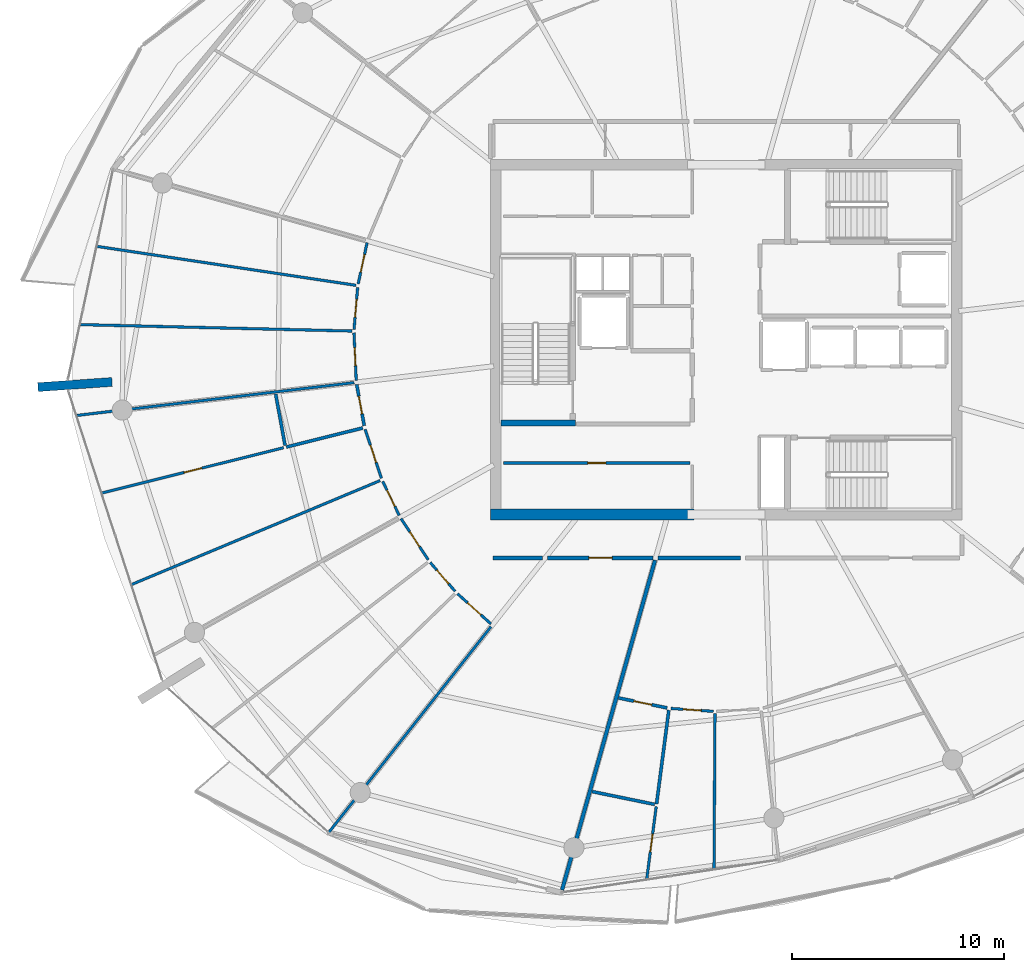
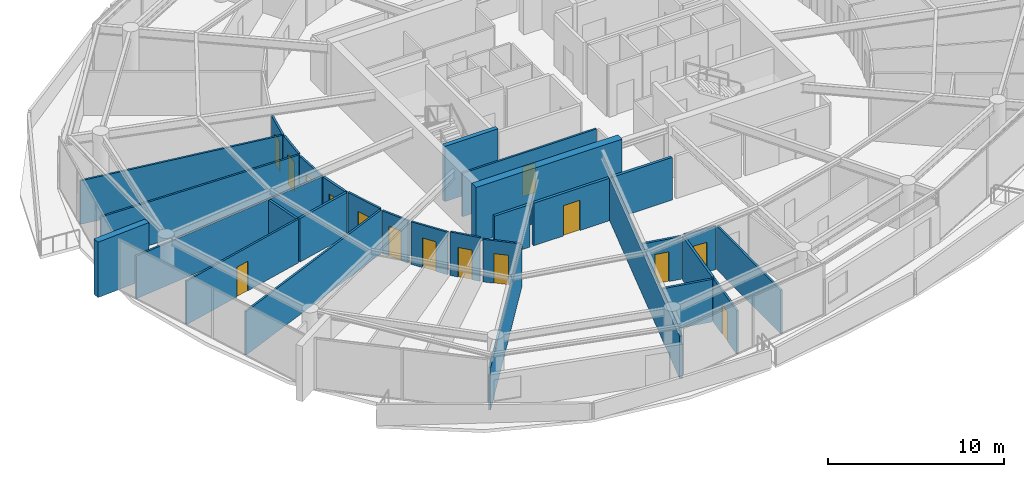
# One storey, part 17 of 29: 31 walls, 15 doors, 15 openings.
"""IFC4 building model written with IfcOpenShell, lengths in metres."""

from ifc_helpers import new_model, si_unit, direction, frame, frame_2d, origin, place, context, subcontext, project, spatial, rectangle, extrude, material, layer, layer_set, type_object, element, fill, save


model = new_model("IFC4")

# Units and contexts
model_context = context("Model", 3, precision=1e-05, world=origin(), true_north=direction((0.0, 1.0)))
body_context = subcontext(model_context, "Body", "Model", "MODEL_VIEW")
ifc_project = project(units=[si_unit("LENGTHUNIT", "METRE"), si_unit("AREAUNIT", "SQUARE_METRE"), si_unit("VOLUMEUNIT", "CUBIC_METRE"), si_unit("PLANEANGLEUNIT", "RADIAN"), si_unit("MASSUNIT", "GRAM", prefix="KILO")], contexts=[model_context])

# Site, building, storey
site_placement = place(None, origin())
site = spatial("IfcSite", under=ifc_project, at=site_placement, CompositionType="ELEMENT")
building_placement = place(site_placement, origin())
building = spatial("IfcBuilding", under=site, at=building_placement, Name="Kazma Halo Residences", CompositionType="ELEMENT")
storey_placement = place(building_placement, frame((0.0, 0.0, 286.75)))
storey = spatial("IfcBuildingStorey", under=building, at=storey_placement, Name="L72", CompositionType="ELEMENT", Elevation=286.75)

# Walls
ifc_material_1 = material(Name="Pale Concrete C60/75", Category="concrete")
ifc_layer_1 = layer(ifc_material_1, 0.419921875)
ifc_layer_set_1 = layer_set([ifc_layer_1], Name="Pale Concrete C60/75")
wall_type_1 = type_object("IfcWallType", Name="WL-BLADE-420", PredefinedType="SOLIDWALL", material=ifc_layer_set_1)
wall_1_placement = place(storey_placement, frame((19.4375, 40.002685546875, 0.0), z_axis=(0.0, 0.0, 1.0), x_axis=(-0.997563824095, -0.069759707979, 0.0)))
element("IfcWall", 1, at=wall_1_placement, inside=storey, type_object=wall_type_1, Name="L72 pale concrete structural blade fin wall BW-02", PredefinedType="SOLIDWALL", context=body_context, shape_type="SweptSolid", body=[
    extrude(rectangle(XDim=3.499755859375, YDim=0.419921875, at=frame_2d((1.75, 0.0))), origin(), (0.0, 0.0, 1.0), 3.85009765625),
])
ifc_material_2 = material(Name="Concrete C60/75", Category="concrete")
ifc_layer_2 = layer(ifc_material_2, 0.5)
ifc_layer_set_2 = layer_set([ifc_layer_2], Name="Concrete C60/75")
wall_type_2 = type_object("IfcWallType", Name="WL-CORE-500", PredefinedType="SHEAR", material=ifc_layer_set_2)
wall_2_placement = place(storey_placement, frame((37.300048828125, 33.75, 0.0), z_axis=(0.0, 0.0, 1.0), x_axis=(1.0, 0.0, 0.0)))
element("IfcWall", 2, at=wall_2_placement, inside=storey, type_object=wall_type_2, Name="L72 central core shear wall SW", PredefinedType="SHEAR", context=body_context, shape_type="SweptSolid", body=[
    extrude(rectangle(XDim=9.599853515625, YDim=0.5, at=frame_2d((4.7998046875, 0.0))), origin(), (0.0, 0.0, 1.0), 3.85009765625),
])
ifc_layer_3 = layer(ifc_material_2, 0.280029296875)
ifc_layer_set_3 = layer_set([ifc_layer_3], Name="Concrete C60/75")
wall_type_3 = type_object("IfcWallType", Name="WL-CORE-ST-280", PredefinedType="SHEAR", material=ifc_layer_set_3)
wall_3_placement = place(storey_placement, frame((37.800048828125, 38.06005859375, 0.0), z_axis=(0.0, 0.0, 1.0), x_axis=(1.0, 0.0, 0.0)))
element("IfcWall", 3, at=wall_3_placement, inside=storey, type_object=wall_type_3, Name="L72 stairwell bearing wall ST01-S", PredefinedType="SHEAR", context=body_context, shape_type="SweptSolid", body=[
    extrude(rectangle(XDim=3.5, YDim=0.280029296875, at=frame_2d((1.75, 0.0))), origin(), (0.0, 0.0, 1.0), 3.85009765625),
])
ifc_material_3 = material(Name="Acoustic Twin-Stud Gypsum")
ifc_layer_4 = layer(ifc_material_3, 0.179931640625)
ifc_layer_set_4 = layer_set([ifc_layer_4], Name="Acoustic Twin-Stud Gypsum")
wall_type_4 = type_object("IfcWallType", Name="WL-DEM-180", PredefinedType="PARTITIONING", material=ifc_layer_set_4)
wall_4_placement = place(storey_placement, frame((45.065185546875, 31.593994140625, 0.0), z_axis=(0.0, 0.0, 1.0), x_axis=(-0.27143972755, -0.962455440167, 0.0)))
element("IfcWall", 4, at=wall_4_placement, inside=storey, type_object=wall_type_4, Name="L72 apartment demising radial wall 10", PredefinedType="PARTITIONING", context=body_context, shape_type="SweptSolid", body=[
    extrude(rectangle(XDim=16.172607421875, YDim=0.179931640625, at=frame_2d((8.08642578125, 0.0))), origin(), (0.0, 0.0, 1.0), 2.95703125),
])

# Wall, opening, door
wall_5_placement = place(storey_placement, frame((40.0, 31.699951171875, 0.0), z_axis=(0.0, 0.0, 1.0), x_axis=(1.0, 0.0, 0.0)))
wall_5 = element("IfcWall", 5, at=wall_5_placement, inside=storey, type_object=wall_type_4, Name="L72 Apartment 1 entrance corridor wall", PredefinedType="PARTITIONING", context=body_context, shape_type="SweptSolid", body=[
    extrude(rectangle(XDim=4.97509765625, YDim=0.179931640625, at=frame_2d((2.487548828125, 0.0))), origin(), (0.0, 0.0, 1.0), 2.95703125),
])
opening_1_placement = place(wall_5_placement, frame((1.9375, 0.0, 0.0)))
opening_1 = element("IfcOpeningElement", 6, at=opening_1_placement, cuts=wall_5, Name="Opening DA-1100", PredefinedType="OPENING", context=body_context, shape_type="SweptSolid", body=[
    extrude(rectangle(XDim=1.10009765625, YDim=2.10009765625, at=frame_2d((0.550048828125, 1.050048828125))), frame((0.0, 0.099853515625, 0.0), z_axis=(0.0, -1.0, 0.0), x_axis=(1.0, 0.0, 0.0)), (0.0, 0.0, 1.0), 0.199951171875),
])
ifc_material_4 = material(Name="Acoustic Walnut Fire Leaf")
door_type_1 = type_object("IfcDoorType", Name="DR-FD60-1100", OperationType="NOTDEFINED", PredefinedType="DOOR", material=ifc_material_4)
door_1_placement = place(opening_1_placement, origin())
door_1 = element("IfcDoor", 7, at=door_1_placement, inside=storey, type_object=door_type_1, Name="L72 Apartment 1 entrance fire door", OperationType="SINGLE_SWING_RIGHT", OverallHeight=2.10009765625, OverallWidth=1.10009765625, PredefinedType="DOOR", context=body_context, shape_type="SweptSolid", body=[
    extrude(rectangle(XDim=1.10009765625, YDim=2.10009765625, at=frame_2d((0.550048828125, 1.050048828125))), frame((0.0, 0.02490234375, 0.0), z_axis=(0.0, -1.0, 0.0), x_axis=(1.0, 0.0, 0.0)), (0.0, 0.0, 1.0), 0.050048828125),
])
fill(opening_1, door_1)

# Walls
wall_6_placement = place(storey_placement, frame((37.419921875, 31.699951171875, 0.0), z_axis=(0.0, 0.0, 1.0), x_axis=(1.0, 0.0, 0.0)))
element("IfcWall", 8, at=wall_6_placement, inside=storey, type_object=wall_type_4, Name="L72 Apartment 1 inner wall 8", PredefinedType="PARTITIONING", context=body_context, shape_type="SweptSolid", body=[
    extrude(rectangle(XDim=2.340087890625, YDim=0.179931640625, at=frame_2d((1.169921875, 0.0))), origin(), (0.0, 0.0, 1.0), 2.95703125),
])
wall_7_placement = place(storey_placement, frame((45.215087890625, 31.699951171875, 0.0), z_axis=(0.0, 0.0, 1.0), x_axis=(1.0, 0.0, 0.0)))
element("IfcWall", 9, at=wall_7_placement, inside=storey, type_object=wall_type_4, Name="L72 Apartment 2 inner wall 10", PredefinedType="PARTITIONING", context=body_context, shape_type="SweptSolid", body=[
    extrude(rectangle(XDim=3.884033203125, YDim=0.179931640625, at=frame_2d((1.94189453125, 0.0))), origin(), (0.0, 0.0, 1.0), 2.95703125),
])

# Wall, opening, door
ifc_material_5 = material(Name="Gypsum Plasterboard Partition")
ifc_layer_5 = layer(ifc_material_5, 0.125)
ifc_layer_set_5 = layer_set([ifc_layer_5], Name="Gypsum Plasterboard Partition")
wall_type_5 = type_object("IfcWallType", Name="WL-PART-125", PredefinedType="PARTITIONING", material=ifc_layer_set_5)
wall_8_placement = place(storey_placement, frame((37.919921875, 36.179931640625, 0.0), z_axis=(0.0, 0.0, 1.0), x_axis=(1.0, 0.0, 0.0)))
wall_8 = element("IfcWall", 10, at=wall_8_placement, inside=storey, type_object=wall_type_5, Name="L72 reclaimed south front wall", PredefinedType="PARTITIONING", context=body_context, shape_type="SweptSolid", body=[
    extrude(rectangle(XDim=8.800048828125, YDim=0.125, at=frame_2d((4.39990234375, 0.0))), origin(), (0.0, 0.0, 1.0), 3.030029296875),
])
opening_2_placement = place(wall_8_placement, frame((3.97509765625, 0.0, 0.0)))
opening_2 = element("IfcOpeningElement", 11, at=opening_2_placement, cuts=wall_8, Name="Opening DS-850", PredefinedType="OPENING", context=body_context, shape_type="SweptSolid", body=[
    extrude(rectangle(XDim=0.85009765625, YDim=2.06005859375, at=frame_2d((0.425048828125, 1.030029296875))), frame((0.0, 0.072509765625, 0.0), z_axis=(0.0, -1.0, 0.0), x_axis=(1.0, 0.0, 0.0)), (0.0, 0.0, 1.0), 0.14501953125),
])
ifc_material_6 = material(Name="Painted Steel Access Leaf", Category="steel")
door_type_2 = type_object("IfcDoorType", Name="DR-SVC-850", OperationType="NOTDEFINED", PredefinedType="DOOR", material=ifc_material_6)
door_2_placement = place(opening_2_placement, origin())
door_2 = element("IfcDoor", 12, at=door_2_placement, inside=storey, type_object=door_type_2, Name="L72 reclaimed south service door", OperationType="SINGLE_SWING_LEFT", OverallHeight=2.06005859375, OverallWidth=0.85009765625, PredefinedType="DOOR", context=body_context, shape_type="SweptSolid", body=[
    extrude(rectangle(XDim=0.85009765625, YDim=2.06005859375, at=frame_2d((0.425048828125, 1.030029296875))), frame((0.0, 0.02490234375, 0.0), z_axis=(0.0, -1.0, 0.0), x_axis=(1.0, 0.0, 0.0)), (0.0, 0.0, 1.0), 0.050048828125),
])
fill(opening_2, door_2)

# Walls
wall_9_placement = place(storey_placement, frame((30.94970703125, 44.5634765625, 0.0), z_axis=(0.0, 0.0, 1.0), x_axis=(-0.988886709817, 0.148671029955, 0.0)))
element("IfcWall", 13, at=wall_9_placement, inside=storey, type_object=wall_type_5, Name="L72 Apartment 1 bay wall 1 6", PredefinedType="PARTITIONING", context=body_context, shape_type="SweptSolid", body=[
    extrude(rectangle(XDim=12.3505859375, YDim=0.125, at=frame_2d((6.17529296875, 0.0))), origin(), (0.0, 0.0, 1.0), 3.030029296875),
])
wall_10_placement = place(storey_placement, frame((30.7626953125, 42.40625, 0.0), z_axis=(0.0, 0.0, 1.0), x_axis=(-0.99972256554, 0.023554021933, 0.0)))
element("IfcWall", 14, at=wall_10_placement, inside=storey, type_object=wall_type_5, Name="L72 Apartment 1 bay wall 2 6", PredefinedType="PARTITIONING", context=body_context, shape_type="SweptSolid", body=[
    extrude(rectangle(XDim=12.82177734375, YDim=0.125, at=frame_2d((6.410888671875, 0.0))), origin(), (0.0, 0.0, 1.0), 3.030029296875),
])

# Wall, opening, door
wall_11_placement = place(storey_placement, frame((31.47509765625, 46.577392578125, 0.0), z_axis=(0.0, 0.0, 1.0), x_axis=(-0.210482265154, -0.977597675967, 0.0)))
wall_11 = element("IfcWall", 15, at=wall_11_placement, inside=storey, type_object=wall_type_5, Name="L72 Apartment 1 Sky Bedroom hall wall", PredefinedType="PARTITIONING", context=body_context, shape_type="SweptSolid", body=[
    extrude(rectangle(XDim=1.993896484375, YDim=0.125, at=frame_2d((0.9970703125, 0.0))), origin(), (0.0, 0.0, 1.0), 2.95703125),
])
opening_3_placement = place(wall_11_placement, frame((0.572021484375, 0.0, 0.0)))
opening_3 = element("IfcOpeningElement", 16, at=opening_3_placement, cuts=wall_11, Name="Opening DB-900", PredefinedType="OPENING", context=body_context, shape_type="SweptSolid", body=[
    extrude(rectangle(XDim=0.85009765625, YDim=2.06005859375, at=frame_2d((0.425048828125, 1.030029296875))), frame((0.0, 0.072509765625, 0.0), z_axis=(0.0, -1.0, 0.0), x_axis=(1.0, 0.0, 0.0)), (0.0, 0.0, 1.0), 0.14501953125),
])
ifc_material_7 = material(Name="Moisture-Sealed Timber Leaf", Category="wood")
door_type_3 = type_object("IfcDoorType", Name="DR-BTH-900", OperationType="NOTDEFINED", PredefinedType="DOOR", material=ifc_material_7)
door_3_placement = place(opening_3_placement, origin())
door_3 = element("IfcDoor", 17, at=door_3_placement, inside=storey, type_object=door_type_3, Name="L72 Apartment 1 Sky Bedroom door", OperationType="SINGLE_SWING_RIGHT", OverallHeight=2.06005859375, OverallWidth=0.85009765625, PredefinedType="DOOR", context=body_context, shape_type="SweptSolid", body=[
    extrude(rectangle(XDim=0.85009765625, YDim=2.06005859375, at=frame_2d((0.425048828125, 1.030029296875))), frame((0.0, 0.02490234375, 0.0), z_axis=(0.0, -1.0, 0.0), x_axis=(1.0, 0.0, 0.0)), (0.0, 0.0, 1.0), 0.050048828125),
])
fill(opening_3, door_3)

wall_12_placement = place(storey_placement, frame((31.03173828125, 44.47021484375, 0.0), z_axis=(0.0, 0.0, 1.0), x_axis=(-0.086328422667, -0.996266733079, 0.0)))
wall_12 = element("IfcWall", 18, at=wall_12_placement, inside=storey, type_object=wall_type_5, Name="L72 Apartment 1 Gulf Dressing Wardrobe hall wall", PredefinedType="PARTITIONING", context=body_context, shape_type="SweptSolid", body=[
    extrude(rectangle(XDim=1.99365234375, YDim=0.125, at=frame_2d((0.996826171875, 0.0))), origin(), (0.0, 0.0, 1.0), 3.030029296875),
])
opening_4_placement = place(wall_12_placement, frame((0.572021484375, 0.0, 0.0)))
opening_4 = element("IfcOpeningElement", 19, at=opening_4_placement, cuts=wall_12, Name="Opening DB-900", PredefinedType="OPENING", context=body_context, shape_type="SweptSolid", body=[
    extrude(rectangle(XDim=0.85009765625, YDim=2.06005859375, at=frame_2d((0.425048828125, 1.030029296875))), frame((0.0, 0.072509765625, 0.0), z_axis=(0.0, -1.0, 0.0), x_axis=(1.0, 0.0, 0.0)), (0.0, 0.0, 1.0), 0.14501953125),
])
door_4_placement = place(opening_4_placement, origin())
door_4 = element("IfcDoor", 20, at=door_4_placement, inside=storey, type_object=door_type_3, Name="L72 Apartment 1 Gulf Dressing Wardrobe door", OperationType="SINGLE_SWING_LEFT", OverallHeight=2.06005859375, OverallWidth=0.85009765625, PredefinedType="DOOR", context=body_context, shape_type="SweptSolid", body=[
    extrude(rectangle(XDim=0.85009765625, YDim=2.06005859375, at=frame_2d((0.425048828125, 1.030029296875))), frame((0.0, 0.02490234375, 0.0), z_axis=(0.0, -1.0, 0.0), x_axis=(1.0, 0.0, 0.0)), (0.0, 0.0, 1.0), 0.050048828125),
])
fill(opening_4, door_4)

wall_13_placement = place(storey_placement, frame((30.856689453125, 42.32421875, 0.0), z_axis=(0.0, 0.0, 1.0), x_axis=(0.047042266611, -0.998892899741, 0.0)))
wall_13 = element("IfcWall", 21, at=wall_13_placement, inside=storey, type_object=wall_type_5, Name="L72 Apartment 1 Primary Master Bedroom hall wall", PredefinedType="PARTITIONING", context=body_context, shape_type="SweptSolid", body=[
    extrude(rectangle(XDim=2.2626953125, YDim=0.125, at=frame_2d((1.13134765625, 0.0))), origin(), (0.0, 0.0, 1.0), 2.95703125),
])
opening_5_placement = place(wall_13_placement, frame((0.706298828125, 0.0, 0.0)))
opening_5 = element("IfcOpeningElement", 22, at=opening_5_placement, cuts=wall_13, Name="Opening DB-900", PredefinedType="OPENING", context=body_context, shape_type="SweptSolid", body=[
    extrude(rectangle(XDim=0.85009765625, YDim=2.06005859375, at=frame_2d((0.425048828125, 1.030029296875))), frame((0.0, 0.072509765625, 0.0), z_axis=(0.0, -1.0, 0.0), x_axis=(1.0, 0.0, 0.0)), (0.0, 0.0, 1.0), 0.14501953125),
])
door_5_placement = place(opening_5_placement, origin())
door_5 = element("IfcDoor", 23, at=door_5_placement, inside=storey, type_object=door_type_3, Name="L72 Apartment 1 Primary Master Bedroom door", OperationType="SINGLE_SWING_RIGHT", OverallHeight=2.06005859375, OverallWidth=0.85009765625, PredefinedType="DOOR", context=body_context, shape_type="SweptSolid", body=[
    extrude(rectangle(XDim=0.85009765625, YDim=2.06005859375, at=frame_2d((0.425048828125, 1.030029296875))), frame((0.0, 0.02490234375, 0.0), z_axis=(0.0, -1.0, 0.0), x_axis=(1.0, 0.0, 0.0)), (0.0, 0.0, 1.0), 0.050048828125),
])
fill(opening_5, door_5)

# Wall
wall_14_placement = place(storey_placement, frame((30.86767578125, 39.97216796875, 0.0), z_axis=(0.0, 0.0, 1.0), x_axis=(-0.993068921398, -0.117533473328, 0.0)))
element("IfcWall", 24, at=wall_14_placement, inside=storey, type_object=wall_type_5, Name="L72 Apartment 1 radial partition 7", PredefinedType="PARTITIONING", context=body_context, shape_type="SweptSolid", body=[
    extrude(rectangle(XDim=13.177734375, YDim=0.125, at=frame_2d((6.5888671875, 0.0))), origin(), (0.0, 0.0, 1.0), 2.95703125),
])

# Wall, opening, door
wall_15_placement = place(storey_placement, frame((27.5341796875, 36.899169921875, 0.0), z_axis=(0.0, 0.0, 1.0), x_axis=(-0.970319606555, -0.241826096887, 0.0)))
wall_15 = element("IfcWall", 25, at=wall_15_placement, inside=storey, type_object=wall_type_5, Name="L72 Apartment 1 East Walk-In Wardrobe partition wall", PredefinedType="PARTITIONING", context=body_context, shape_type="SweptSolid", body=[
    extrude(rectangle(XDim=8.82568359375, YDim=0.125, at=frame_2d((4.412841796875, 0.0))), origin(), (0.0, 0.0, 1.0), 3.030029296875),
])
opening_6_placement = place(wall_15_placement, frame((3.98779296875, 0.0, 0.0)))
opening_6 = element("IfcOpeningElement", 26, at=opening_6_placement, cuts=wall_15, Name="Opening DB-900", PredefinedType="OPENING", context=body_context, shape_type="SweptSolid", body=[
    extrude(rectangle(XDim=0.85009765625, YDim=2.06005859375, at=frame_2d((0.425048828125, 1.030029296875))), frame((0.0, 0.072509765625, 0.0), z_axis=(0.0, -1.0, 0.0), x_axis=(1.0, 0.0, 0.0)), (0.0, 0.0, 1.0), 0.14501953125),
])
door_6_placement = place(opening_6_placement, origin())
door_6 = element("IfcDoor", 27, at=door_6_placement, inside=storey, type_object=door_type_3, Name="L72 Apartment 1 East Walk-In Wardrobe door", OperationType="SINGLE_SWING_LEFT", OverallHeight=2.06005859375, OverallWidth=0.85009765625, PredefinedType="DOOR", context=body_context, shape_type="SweptSolid", body=[
    extrude(rectangle(XDim=0.85009765625, YDim=2.06005859375, at=frame_2d((0.425048828125, 1.030029296875))), frame((0.0, 0.02490234375, 0.0), z_axis=(0.0, -1.0, 0.0), x_axis=(1.0, 0.0, 0.0)), (0.0, 0.0, 1.0), 0.050048828125),
])
fill(opening_6, door_6)

# Wall
wall_16_placement = place(storey_placement, frame((32.092529296875, 35.348876953125, 0.0), z_axis=(0.0, 0.0, 1.0), x_axis=(-0.922603134387, -0.385750510588, 0.0)))
element("IfcWall", 28, at=wall_16_placement, inside=storey, type_object=wall_type_5, Name="L72 Apartment 1 suite divider 7", PredefinedType="PARTITIONING", context=body_context, shape_type="SweptSolid", body=[
    extrude(rectangle(XDim=12.702880859375, YDim=0.125, at=frame_2d((6.3515625, 0.0))), origin(), (0.0, 0.0, 1.0), 3.030029296875),
])

# Wall, opening, door
wall_17_placement = place(storey_placement, frame((31.385498046875, 37.7666015625, 0.0), z_axis=(0.0, 0.0, 1.0), x_axis=(0.314690560305, -0.94919431691, 0.0)))
wall_17 = element("IfcWall", 29, at=wall_17_placement, inside=storey, type_object=wall_type_5, Name="L72 Apartment 1 West Formal Dining Room hall wall", PredefinedType="PARTITIONING", context=body_context, shape_type="SweptSolid", body=[
    extrude(rectangle(XDim=2.4306640625, YDim=0.125, at=frame_2d((1.21533203125, 0.0))), origin(), (0.0, 0.0, 1.0), 3.030029296875),
])
opening_7_placement = place(wall_17_placement, frame((0.790283203125, 0.0, 0.0)))
opening_7 = element("IfcOpeningElement", 30, at=opening_7_placement, cuts=wall_17, Name="Opening DB-900", PredefinedType="OPENING", context=body_context, shape_type="SweptSolid", body=[
    extrude(rectangle(XDim=0.85009765625, YDim=2.06005859375, at=frame_2d((0.425048828125, 1.030029296875))), frame((0.0, 0.072509765625, 0.0), z_axis=(0.0, -1.0, 0.0), x_axis=(1.0, 0.0, 0.0)), (0.0, 0.0, 1.0), 0.14501953125),
])
door_7_placement = place(opening_7_placement, origin())
door_7 = element("IfcDoor", 31, at=door_7_placement, inside=storey, type_object=door_type_3, Name="L72 Apartment 1 West Formal Dining Room door", OperationType="SINGLE_SWING_RIGHT", OverallHeight=2.06005859375, OverallWidth=0.85009765625, PredefinedType="DOOR", context=body_context, shape_type="SweptSolid", body=[
    extrude(rectangle(XDim=0.85009765625, YDim=2.06005859375, at=frame_2d((0.425048828125, 1.030029296875))), frame((0.0, 0.02490234375, 0.0), z_axis=(0.0, -1.0, 0.0), x_axis=(1.0, 0.0, 0.0)), (0.0, 0.0, 1.0), 0.050048828125),
])
fill(opening_7, door_7)

wall_18_placement = place(storey_placement, frame((32.21044921875, 35.311767578125, 0.0), z_axis=(0.0, 0.0, 1.0), x_axis=(0.437932532195, -0.899007840481, 0.0)))
wall_18 = element("IfcWall", 32, at=wall_18_placement, inside=storey, type_object=wall_type_5, Name="L72 Apartment 1 North Master Bedroom hall wall", PredefinedType="PARTITIONING", context=body_context, shape_type="SweptSolid", body=[
    extrude(rectangle(XDim=1.78271484375, YDim=0.125, at=frame_2d((0.891357421875, 0.0))), origin(), (0.0, 0.0, 1.0), 2.95703125),
])
opening_8_placement = place(wall_18_placement, frame((0.46630859375, 0.0, 0.0)))
opening_8 = element("IfcOpeningElement", 33, at=opening_8_placement, cuts=wall_18, Name="Opening DB-900", PredefinedType="OPENING", context=body_context, shape_type="SweptSolid", body=[
    extrude(rectangle(XDim=0.85009765625, YDim=2.06005859375, at=frame_2d((0.425048828125, 1.030029296875))), frame((0.0, 0.072509765625, 0.0), z_axis=(0.0, -1.0, 0.0), x_axis=(1.0, 0.0, 0.0)), (0.0, 0.0, 1.0), 0.14501953125),
])
door_8_placement = place(opening_8_placement, origin())
door_8 = element("IfcDoor", 34, at=door_8_placement, inside=storey, type_object=door_type_3, Name="L72 Apartment 1 North Master Bedroom door", OperationType="SINGLE_SWING_LEFT", OverallHeight=2.06005859375, OverallWidth=0.85009765625, PredefinedType="DOOR", context=body_context, shape_type="SweptSolid", body=[
    extrude(rectangle(XDim=0.85009765625, YDim=2.06005859375, at=frame_2d((0.425048828125, 1.030029296875))), frame((0.0, 0.02490234375, 0.0), z_axis=(0.0, -1.0, 0.0), x_axis=(1.0, 0.0, 0.0)), (0.0, 0.0, 1.0), 0.050048828125),
])
fill(opening_8, door_8)

# Wall
wall_19_placement = place(storey_placement, frame((37.3193359375, 28.45166015625, 0.0), z_axis=(0.0, 0.0, 1.0), x_axis=(-0.619095191857, -0.785315951334, 0.0)))
element("IfcWall", 35, at=wall_19_placement, inside=storey, type_object=wall_type_5, Name="L72 Apartment 1 living radial partition 8", PredefinedType="PARTITIONING", context=body_context, shape_type="SweptSolid", body=[
    extrude(rectangle(XDim=12.343505859375, YDim=0.125, at=frame_2d((6.171875, 0.0))), origin(), (0.0, 0.0, 1.0), 2.95703125),
])

# Wall, opening, door
wall_20_placement = place(storey_placement, frame((33.0791015625, 33.552490234375, 0.0), z_axis=(0.0, 0.0, 1.0), x_axis=(0.550607173666, -0.83476448194, 0.0)))
wall_20 = element("IfcWall", 36, at=wall_20_placement, inside=storey, type_object=wall_type_5, Name="L72 Apartment 1 Outer Master Bedroom hall wall", PredefinedType="PARTITIONING", context=body_context, shape_type="SweptSolid", body=[
    extrude(rectangle(XDim=2.330078125, YDim=0.125, at=frame_2d((1.1650390625, 0.0))), origin(), (0.0, 0.0, 1.0), 2.95703125),
])
opening_9_placement = place(wall_20_placement, frame((0.739990234375, 0.0, 0.0)))
opening_9 = element("IfcOpeningElement", 37, at=opening_9_placement, cuts=wall_20, Name="Opening DB-900", PredefinedType="OPENING", context=body_context, shape_type="SweptSolid", body=[
    extrude(rectangle(XDim=0.85009765625, YDim=2.06005859375, at=frame_2d((0.425048828125, 1.030029296875))), frame((0.0, 0.072509765625, 0.0), z_axis=(0.0, -1.0, 0.0), x_axis=(1.0, 0.0, 0.0)), (0.0, 0.0, 1.0), 0.14501953125),
])
door_9_placement = place(opening_9_placement, origin())
door_9 = element("IfcDoor", 38, at=door_9_placement, inside=storey, type_object=door_type_3, Name="L72 Apartment 1 Outer Master Bedroom door", OperationType="SINGLE_SWING_RIGHT", OverallHeight=2.06005859375, OverallWidth=0.85009765625, PredefinedType="DOOR", context=body_context, shape_type="SweptSolid", body=[
    extrude(rectangle(XDim=0.85009765625, YDim=2.06005859375, at=frame_2d((0.425048828125, 1.030029296875))), frame((0.0, 0.02490234375, 0.0), z_axis=(0.0, -1.0, 0.0), x_axis=(1.0, 0.0, 0.0)), (0.0, 0.0, 1.0), 0.050048828125),
])
fill(opening_9, door_9)

wall_21_placement = place(storey_placement, frame((34.45849609375, 31.480224609375, 0.0), z_axis=(0.0, 0.0, 1.0), x_axis=(0.653882286754, -0.756596295966, 0.0)))
wall_21 = element("IfcWall", 39, at=wall_21_placement, inside=storey, type_object=wall_type_5, Name="L72 Apartment 1 Corner Study hall wall", PredefinedType="PARTITIONING", context=body_context, shape_type="SweptSolid", body=[
    extrude(rectangle(XDim=1.792236328125, YDim=0.125, at=frame_2d((0.89599609375, 0.0))), origin(), (0.0, 0.0, 1.0), 3.030029296875),
])
opening_10_placement = place(wall_21_placement, frame((0.47119140625, 0.0, 0.0)))
opening_10 = element("IfcOpeningElement", 40, at=opening_10_placement, cuts=wall_21, Name="Opening DB-900", PredefinedType="OPENING", context=body_context, shape_type="SweptSolid", body=[
    extrude(rectangle(XDim=0.85009765625, YDim=2.06005859375, at=frame_2d((0.425048828125, 1.030029296875))), frame((0.0, 0.072509765625, 0.0), z_axis=(0.0, -1.0, 0.0), x_axis=(1.0, 0.0, 0.0)), (0.0, 0.0, 1.0), 0.14501953125),
])
door_10_placement = place(opening_10_placement, origin())
door_10 = element("IfcDoor", 41, at=door_10_placement, inside=storey, type_object=door_type_3, Name="L72 Apartment 1 Corner Study door", OperationType="SINGLE_SWING_LEFT", OverallHeight=2.06005859375, OverallWidth=0.85009765625, PredefinedType="DOOR", context=body_context, shape_type="SweptSolid", body=[
    extrude(rectangle(XDim=0.85009765625, YDim=2.06005859375, at=frame_2d((0.425048828125, 1.030029296875))), frame((0.0, 0.02490234375, 0.0), z_axis=(0.0, -1.0, 0.0), x_axis=(1.0, 0.0, 0.0)), (0.0, 0.0, 1.0), 0.050048828125),
])
fill(opening_10, door_10)

wall_22_placement = place(storey_placement, frame((35.7421875, 30.010009765625, 0.0), z_axis=(0.0, 0.0, 1.0), x_axis=(0.742260909421, -0.670110992557, 0.0)))
wall_22 = element("IfcWall", 42, at=wall_22_placement, inside=storey, type_object=wall_type_5, Name="L72 Apartment 1 Garden Master Bedroom hall wall", PredefinedType="PARTITIONING", context=body_context, shape_type="SweptSolid", body=[
    extrude(rectangle(XDim=2.12841796875, YDim=0.125, at=frame_2d((1.064208984375, 0.0))), origin(), (0.0, 0.0, 1.0), 2.95703125),
])
opening_11_placement = place(wall_22_placement, frame((0.63916015625, 0.0, 0.0)))
opening_11 = element("IfcOpeningElement", 43, at=opening_11_placement, cuts=wall_22, Name="Opening DB-900", PredefinedType="OPENING", context=body_context, shape_type="SweptSolid", body=[
    extrude(rectangle(XDim=0.85009765625, YDim=2.06005859375, at=frame_2d((0.425048828125, 1.030029296875))), frame((0.0, 0.072509765625, 0.0), z_axis=(0.0, -1.0, 0.0), x_axis=(1.0, 0.0, 0.0)), (0.0, 0.0, 1.0), 0.14501953125),
])
door_11_placement = place(opening_11_placement, origin())
door_11 = element("IfcDoor", 44, at=door_11_placement, inside=storey, type_object=door_type_3, Name="L72 Apartment 1 Garden Master Bedroom door", OperationType="SINGLE_SWING_RIGHT", OverallHeight=2.06005859375, OverallWidth=0.85009765625, PredefinedType="DOOR", context=body_context, shape_type="SweptSolid", body=[
    extrude(rectangle(XDim=0.85009765625, YDim=2.06005859375, at=frame_2d((0.425048828125, 1.030029296875))), frame((0.0, 0.02490234375, 0.0), z_axis=(0.0, -1.0, 0.0), x_axis=(1.0, 0.0, 0.0)), (0.0, 0.0, 1.0), 0.050048828125),
])
fill(opening_11, door_11)

wall_23_placement = place(storey_placement, frame((45.119140625, 19.96142578125, 0.0), z_axis=(0.0, 0.0, 1.0), x_axis=(-0.129638509604, -0.991561322777, 0.0)))
wall_23 = element("IfcWall", 45, at=wall_23_placement, inside=storey, type_object=wall_type_5, Name="L72 Apartment 2 Utility Laundry Room partition wall", PredefinedType="PARTITIONING", context=body_context, shape_type="SweptSolid", body=[
    extrude(rectangle(XDim=3.451904296875, YDim=0.125, at=frame_2d((1.72607421875, 0.0))), origin(), (0.0, 0.0, 1.0), 3.030029296875),
])
opening_12_placement = place(wall_23_placement, frame((1.301025390625, 0.0, 0.0)))
opening_12 = element("IfcOpeningElement", 46, at=opening_12_placement, cuts=wall_23, Name="Opening DB-900", PredefinedType="OPENING", context=body_context, shape_type="SweptSolid", body=[
    extrude(rectangle(XDim=0.85009765625, YDim=2.06005859375, at=frame_2d((0.425048828125, 1.030029296875))), frame((0.0, 0.072509765625, 0.0), z_axis=(0.0, -1.0, 0.0), x_axis=(1.0, 0.0, 0.0)), (0.0, 0.0, 1.0), 0.14501953125),
])
door_12_placement = place(opening_12_placement, origin())
door_12 = element("IfcDoor", 47, at=door_12_placement, inside=storey, type_object=door_type_3, Name="L72 Apartment 2 Utility Laundry Room door", OperationType="SINGLE_SWING_RIGHT", OverallHeight=2.06005859375, OverallWidth=0.85009765625, PredefinedType="DOOR", context=body_context, shape_type="SweptSolid", body=[
    extrude(rectangle(XDim=0.85009765625, YDim=2.06005859375, at=frame_2d((0.425048828125, 1.030029296875))), frame((0.0, 0.02490234375, 0.0), z_axis=(0.0, -1.0, 0.0), x_axis=(1.0, 0.0, 0.0)), (0.0, 0.0, 1.0), 0.050048828125),
])
fill(opening_12, door_12)

# Wall
wall_24_placement = place(storey_placement, frame((47.892578125, 24.3642578125, 0.0), z_axis=(0.0, 0.0, 1.0), x_axis=(-0.006080631894, -0.999981512787, 0.0)))
element("IfcWall", 48, at=wall_24_placement, inside=storey, type_object=wall_type_5, Name="L72 Apartment 2 suite divider 10", PredefinedType="PARTITIONING", context=body_context, shape_type="SweptSolid", body=[
    extrude(rectangle(XDim=7.34765625, YDim=0.125, at=frame_2d((3.673828125, 0.0))), origin(), (0.0, 0.0, 1.0), 3.030029296875),
])

# Wall, opening, door
wall_25_placement = place(storey_placement, frame((45.8154296875, 24.595947265625, 0.0), z_axis=(0.0, 0.0, 1.0), x_axis=(0.997683692682, -0.068023888137, 0.0)))
wall_25 = element("IfcWall", 49, at=wall_25_placement, inside=storey, type_object=wall_type_5, Name="L72 Apartment 2 Gourmet Kitchen hall wall", PredefinedType="PARTITIONING", context=body_context, shape_type="SweptSolid", body=[
    extrude(rectangle(XDim=2.002685546875, YDim=0.125, at=frame_2d((1.00146484375, 0.0))), origin(), (0.0, 0.0, 1.0), 3.030029296875),
])
opening_13_placement = place(wall_25_placement, frame((0.576416015625, 0.0, 0.0)))
opening_13 = element("IfcOpeningElement", 50, at=opening_13_placement, cuts=wall_25, Name="Opening DB-900", PredefinedType="OPENING", context=body_context, shape_type="SweptSolid", body=[
    extrude(rectangle(XDim=0.85009765625, YDim=2.06005859375, at=frame_2d((0.425048828125, 1.030029296875))), frame((0.0, 0.072509765625, 0.0), z_axis=(0.0, -1.0, 0.0), x_axis=(1.0, 0.0, 0.0)), (0.0, 0.0, 1.0), 0.14501953125),
])
door_13_placement = place(opening_13_placement, origin())
door_13 = element("IfcDoor", 51, at=door_13_placement, inside=storey, type_object=door_type_3, Name="L72 Apartment 2 Gourmet Kitchen door", OperationType="SINGLE_SWING_LEFT", OverallHeight=2.06005859375, OverallWidth=0.85009765625, PredefinedType="DOOR", context=body_context, shape_type="SweptSolid", body=[
    extrude(rectangle(XDim=0.85009765625, YDim=2.06005859375, at=frame_2d((0.425048828125, 1.030029296875))), frame((0.0, 0.02490234375, 0.0), z_axis=(0.0, -1.0, 0.0), x_axis=(1.0, 0.0, 0.0)), (0.0, 0.0, 1.0), 0.050048828125),
])
fill(opening_13, door_13)

ifc_material_8 = material(Name="Moisture-Resistant Gypsum")
ifc_layer_6 = layer(ifc_material_8, 0.14990234375)
ifc_layer_set_6 = layer_set([ifc_layer_6], Name="Moisture-Resistant Gypsum")
wall_type_6 = type_object("IfcWallType", Name="WL-WET-150", PredefinedType="PARTITIONING", material=ifc_layer_set_6)
wall_26_placement = place(storey_placement, frame((30.98486328125, 39.885498046875, 0.0), z_axis=(0.0, 0.0, 1.0), x_axis=(0.180015292758, -0.983663811662, 0.0)))
wall_26 = element("IfcWall", 52, at=wall_26_placement, inside=storey, type_object=wall_type_6, Name="L72 Apartment 1 Secondary En-Suite Bathroom hall wall", PredefinedType="PARTITIONING", context=body_context, shape_type="SweptSolid", body=[
    extrude(rectangle(XDim=1.977294921875, YDim=0.14990234375, at=frame_2d((0.98876953125, 0.0))), origin(), (0.0, 0.0, 1.0), 2.95703125),
])
opening_14_placement = place(wall_26_placement, frame((0.563720703125, 0.0, 0.0)))
opening_14 = element("IfcOpeningElement", 53, at=opening_14_placement, cuts=wall_26, Name="Opening DB-900", PredefinedType="OPENING", context=body_context, shape_type="SweptSolid", body=[
    extrude(rectangle(XDim=0.85009765625, YDim=2.06005859375, at=frame_2d((0.425048828125, 1.030029296875))), frame((0.0, 0.0849609375, 0.0), z_axis=(0.0, -1.0, 0.0), x_axis=(1.0, 0.0, 0.0)), (0.0, 0.0, 1.0), 0.169921875),
])
door_14_placement = place(opening_14_placement, origin())
door_14 = element("IfcDoor", 54, at=door_14_placement, inside=storey, type_object=door_type_3, Name="L72 Apartment 1 Secondary En-Suite Bathroom door", OperationType="SINGLE_SWING_RIGHT", OverallHeight=2.06005859375, OverallWidth=0.85009765625, PredefinedType="DOOR", context=body_context, shape_type="SweptSolid", body=[
    extrude(rectangle(XDim=0.85009765625, YDim=2.06005859375, at=frame_2d((0.425048828125, 1.030029296875))), frame((0.0, 0.02490234375, 0.0), z_axis=(0.0, -1.0, 0.0), x_axis=(1.0, 0.0, 0.0)), (0.0, 0.0, 1.0), 0.050048828125),
])
fill(opening_14, door_14)

# Walls
wall_27_placement = place(storey_placement, frame((27.16162109375, 39.43310546875, 0.0), z_axis=(0.0, 0.0, 1.0), x_axis=(0.180045053774, -0.983658364785, 0.0)))
element("IfcWall", 55, at=wall_27_placement, inside=storey, type_object=wall_type_6, Name="L72 Apartment 1 Secondary En-Suite Bathroom back wall", PredefinedType="PARTITIONING", context=body_context, shape_type="SweptSolid", body=[
    extrude(rectangle(XDim=2.4638671875, YDim=0.14990234375, at=frame_2d((1.23193359375, 0.0))), origin(), (0.0, 0.0, 1.0), 2.95703125),
])
wall_28_placement = place(storey_placement, frame((31.269775390625, 37.830078125, 0.0), z_axis=(0.0, 0.0, 1.0), x_axis=(-0.97033137229, -0.241778882348, 0.0)))
element("IfcWall", 56, at=wall_28_placement, inside=storey, type_object=wall_type_6, Name="L72 Apartment 1 Secondary En-Suite Bathroom side wall", PredefinedType="PARTITIONING", context=body_context, shape_type="SweptSolid", body=[
    extrude(rectangle(XDim=3.719970703125, YDim=0.14990234375, at=frame_2d((1.85986328125, 0.0))), origin(), (0.0, 0.0, 1.0), 3.030029296875),
])

# Wall, opening, door
wall_29_placement = place(storey_placement, frame((43.335205078125, 25.0927734375, 0.0), z_axis=(0.0, 0.0, 1.0), x_axis=(0.979569131454, -0.201107724125, 0.0)))
wall_29 = element("IfcWall", 57, at=wall_29_placement, inside=storey, type_object=wall_type_6, Name="L72 Apartment 2 Guest Bathroom hall wall", PredefinedType="PARTITIONING", context=body_context, shape_type="SweptSolid", body=[
    extrude(rectangle(XDim=2.350341796875, YDim=0.14990234375, at=frame_2d((1.17529296875, 0.0))), origin(), (0.0, 0.0, 1.0), 2.95703125),
])
opening_15_placement = place(wall_29_placement, frame((0.75, 0.0, 0.0)))
opening_15 = element("IfcOpeningElement", 58, at=opening_15_placement, cuts=wall_29, Name="Opening DB-900", PredefinedType="OPENING", context=body_context, shape_type="SweptSolid", body=[
    extrude(rectangle(XDim=0.85009765625, YDim=2.06005859375, at=frame_2d((0.425048828125, 1.030029296875))), frame((0.0, 0.0849609375, 0.0), z_axis=(0.0, -1.0, 0.0), x_axis=(1.0, 0.0, 0.0)), (0.0, 0.0, 1.0), 0.169921875),
])
door_15_placement = place(opening_15_placement, origin())
door_15 = element("IfcDoor", 59, at=door_15_placement, inside=storey, type_object=door_type_3, Name="L72 Apartment 2 Guest Bathroom door", OperationType="SINGLE_SWING_LEFT", OverallHeight=2.06005859375, OverallWidth=0.85009765625, PredefinedType="DOOR", context=body_context, shape_type="SweptSolid", body=[
    extrude(rectangle(XDim=0.85009765625, YDim=2.06005859375, at=frame_2d((0.425048828125, 1.030029296875))), frame((0.0, 0.02490234375, 0.0), z_axis=(0.0, -1.0, 0.0), x_axis=(1.0, 0.0, 0.0)), (0.0, 0.0, 1.0), 0.050048828125),
])
fill(opening_15, door_15)

# Walls
wall_30_placement = place(storey_placement, frame((42.08935546875, 20.675048828125, 0.0), z_axis=(0.0, 0.0, 1.0), x_axis=(0.979574487331, -0.201081634593, 0.0)))
element("IfcWall", 60, at=wall_30_placement, inside=storey, type_object=wall_type_6, Name="L72 Apartment 2 Guest Bathroom back wall", PredefinedType="PARTITIONING", context=body_context, shape_type="SweptSolid", body=[
    extrude(rectangle(XDim=3.0146484375, YDim=0.14990234375, at=frame_2d((1.50732421875, 0.0))), origin(), (0.0, 0.0, 1.0), 2.95703125),
])
wall_31_placement = place(storey_placement, frame((45.714111328125, 24.5126953125, 0.0), z_axis=(0.0, 0.0, 1.0), x_axis=(-0.129624682181, -0.991563130501, 0.0)))
element("IfcWall", 61, at=wall_31_placement, inside=storey, type_object=wall_type_6, Name="L72 Apartment 2 Guest Bathroom side wall", PredefinedType="PARTITIONING", context=body_context, shape_type="SweptSolid", body=[
    extrude(rectangle(XDim=4.4599609375, YDim=0.14990234375, at=frame_2d((2.22998046875, 0.0))), origin(), (0.0, 0.0, 1.0), 3.030029296875),
])

save(model, "model.ifc")
